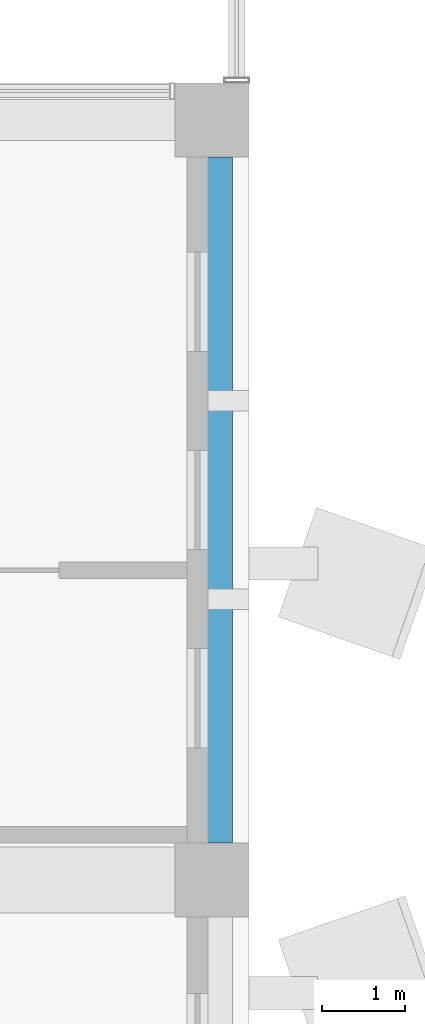
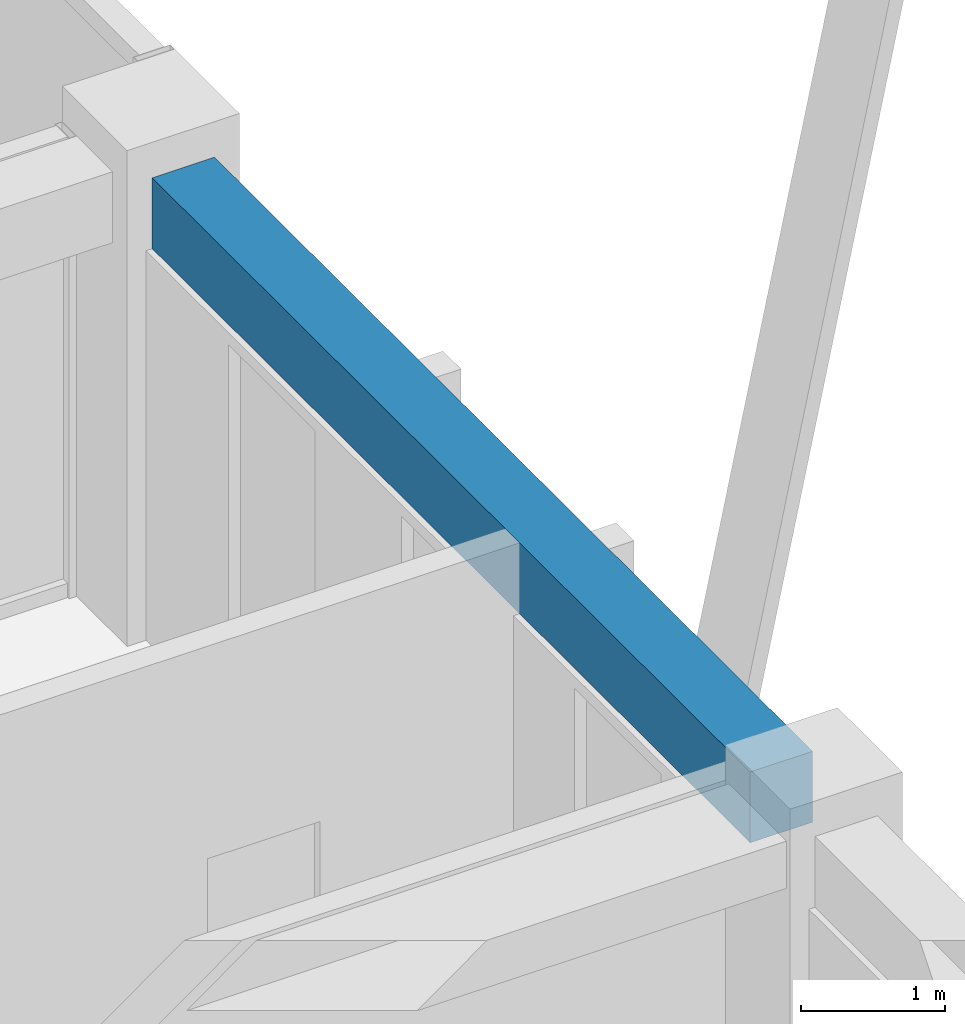
# One storey, part 15 of 38: 1 beam.
"""IFC4 building model written with IfcOpenShell, lengths in metres."""

import ifcopenshell
import ifcopenshell.guid

model = None  # the IFC model being written
_history = None  # IfcOwnerHistory: only IFC2X3 demands one
_inside = {}  # id of a spatial element -> (the spatial element, [elements in it])
_under = {}  # id of a project, library or spatial element -> (it, [spatial elements below it])
_declared = {}  # id of a project -> (the project, [libraries it declares])
_typed = {}  # id of a type object -> (the type object, [elements of that type])
_made_of = {}  # id of a material, layer set ... -> (it, [elements and type objects made of it])


def new_model(schema):
    """Start an empty IFC model of exactly this schema.

    Asked for "IFC4X3", IfcOpenShell would pick the latest addendum, in which some entities
    have other attributes; the version numbers below select the first issue.
    IFC2X3 requires an IfcOwnerHistory on every rooted entity: one is made here for all.
    """
    global model, _history
    if schema == "IFC4X3":
        model = ifcopenshell.file(schema_version=(4, 3, 0, 0))
    else:
        model = ifcopenshell.file(schema=schema)
    _inside.clear()
    _under.clear()
    _declared.clear()
    _typed.clear()
    _made_of.clear()
    _history = None
    if model.schema == "IFC2X3":
        org = make("IfcOrganization", Name="unknown")
        user = make(
            "IfcPersonAndOrganization",
            ThePerson=make("IfcPerson", FamilyName="unknown"),
            TheOrganization=org,
        )
        app = make(
            "IfcApplication",
            ApplicationDeveloper=org,
            Version="unknown",
            ApplicationFullName="unknown",
            ApplicationIdentifier="unknown",
        )
        _history = make(
            "IfcOwnerHistory",
            OwningUser=user,
            OwningApplication=app,
            ChangeAction="ADDED",
            CreationDate=0,
        )
    return model


def make(cls, **values):
    """One entity of the class cls with the attributes given. An attribute that is None is left unset."""
    return model.create_entity(
        cls, **{name: value for name, value in values.items() if value is not None}
    )


def rooted(cls, **values):
    """An entity with a GlobalId (a new one), such as an element, a storey or a relation."""
    return make(cls, GlobalId=ifcopenshell.guid.new(), OwnerHistory=_history, **values)


def si_unit(unit_type, name, prefix=None):
    """IfcSIUnit, for example si_unit("LENGTHUNIT", "METRE", prefix="MILLI")."""
    return make("IfcSIUnit", UnitType=unit_type, Prefix=prefix, Name=name)


def assignment(units):
    """IfcUnitAssignment: the units of a project."""
    return None if units is None else make("IfcUnitAssignment", Units=units)


def point(xyz):
    """IfcCartesianPoint."""
    return None if xyz is None else make("IfcCartesianPoint", Coordinates=xyz)


def direction(xyz):
    """IfcDirection."""
    return None if xyz is None else make("IfcDirection", DirectionRatios=xyz)


def frame(location, z_axis=None, x_axis=None):
    """IfcAxis2Placement3D, a coordinate frame: its origin and axes. An axis left out is left unset."""
    return make(
        "IfcAxis2Placement3D",
        Location=point(location),
        Axis=direction(z_axis),
        RefDirection=direction(x_axis),
    )


def frame_2d(location, x_axis=None):
    """IfcAxis2Placement2D, a coordinate frame in the plane: its origin and x axis."""
    return make(
        "IfcAxis2Placement2D", Location=point(location), RefDirection=direction(x_axis)
    )


def origin():
    """The frame at (0, 0, 0) with its axes left unset."""
    return frame((0.0, 0.0, 0.0))


def origin_2d():
    """The frame at (0, 0) in the plane with its x axis left unset."""
    return frame_2d((0.0, 0.0))


def place(relative_to, where):
    """IfcLocalPlacement: puts the frame where relative to a parent placement (None: the world)."""
    return make(
        "IfcLocalPlacement", PlacementRelTo=relative_to, RelativePlacement=where
    )


def context(
    kind, dimensions, precision=None, world=None, true_north=None, identifier=None
):
    """IfcGeometricRepresentationContext, for example the 3D "Model" context."""
    return make(
        "IfcGeometricRepresentationContext",
        ContextIdentifier=identifier,
        ContextType=kind,
        CoordinateSpaceDimension=dimensions,
        Precision=precision,
        WorldCoordinateSystem=world,
        TrueNorth=true_north,
    )


def subcontext(parent, identifier, kind, view, scale=None):
    """IfcGeometricRepresentationSubContext, for example "Body" below "Model"."""
    return make(
        "IfcGeometricRepresentationSubContext",
        ContextIdentifier=identifier,
        ContextType=kind,
        ParentContext=parent,
        TargetScale=scale,
        TargetView=view,
    )


def project(units=None, contexts=None):
    """IfcProject with its units and contexts."""
    return rooted(
        "IfcProject",
        Name="project",
        RepresentationContexts=contexts,
        UnitsInContext=assignment(units),
    )


def spatial(cls, under=None, at=None, **own):
    """A site, building, storey or space (cls), placed at a placement, below another one or the project."""
    s = rooted(cls, ObjectPlacement=at, **own)
    if under is not None:
        _under.setdefault(under.id(), (under, []))[1].append(s)
    return s


def profile(cls, at=None, kind="AREA", **sizes):
    """A parametric profile (cls). Its sizes go by their IFC names, for example OverallWidth=200.0."""
    return make(cls, ProfileType=kind, Position=at, **sizes)


def rectangle(**sizes):
    """IfcRectangleProfileDef."""
    return profile("IfcRectangleProfileDef", **sizes)


def extrude(swept, where, along, depth):
    """IfcExtrudedAreaSolid: the profile swept, set in the frame where, extruded along a direction by depth."""
    return make(
        "IfcExtrudedAreaSolid",
        SweptArea=swept,
        Position=where,
        ExtrudedDirection=direction(along),
        Depth=depth,
    )


def shape(context_of_items, identifier, shape_type, items):
    """IfcShapeRepresentation: the items that make up one representation, for example the "Body"."""
    return make(
        "IfcShapeRepresentation",
        ContextOfItems=context_of_items,
        RepresentationIdentifier=identifier,
        RepresentationType=shape_type,
        Items=items,
    )


def material(Name=None, Category=None):
    """IfcMaterial."""
    return make("IfcMaterial", Name=Name, Category=Category)


def material_profile(
    of_material, cross_section, Name=None, Category=None, Priority=None
):
    """IfcMaterialProfile: a cross section and its material."""
    return make(
        "IfcMaterialProfile",
        Name=Name,
        Material=of_material,
        Profile=cross_section,
        Priority=Priority,
        Category=Category,
    )


def profile_set(profiles, Name=None, composite=None):
    """IfcMaterialProfileSet."""
    return make(
        "IfcMaterialProfileSet",
        Name=Name,
        MaterialProfiles=profiles,
        CompositeProfile=composite,
    )


def made_of(thing, what):
    """Note that an element or type object is made of a material, layer set ...; save() writes the relation."""
    if what is not None:
        _made_of.setdefault(what.id(), (what, []))[1].append(thing)
    return thing


def type_object(cls, material=None, **own):
    """A type object (cls), such as IfcWallType, which elements share."""
    return made_of(rooted(cls, **own), material)


def element(
    cls,
    number,
    at=None,
    inside=None,
    cuts=None,
    type_object=None,
    material=None,
    context=None,
    identifier="Body",
    shape_type=None,
    held_by="IfcProductDefinitionShape",
    body=None,
    shapes=None,
    **own,
):
    """One element of the class cls, such as IfcWall. Its Tag is "e" and its number.

    at: its placement. inside: the storey or other place that contains it. cuts: it is an
    opening in that element (IfcRelVoidsElement). A single representation is given by context,
    identifier, shape_type and body (its items); several are given by shapes. held_by: the class
    of the entity that holds the representations. save() writes the other relations.
    """
    e = rooted(cls, Tag="e%d" % number, ObjectPlacement=at, **own)
    if body is not None:
        shapes = [shape(context, identifier, shape_type, body)]
    if shapes is not None:
        e.Representation = make(held_by, Representations=shapes)
    if inside is not None:
        _inside.setdefault(inside.id(), (inside, []))[1].append(e)
    if cuts is not None:
        rooted(
            "IfcRelVoidsElement", RelatingBuildingElement=cuts, RelatedOpeningElement=e
        )
    if type_object is not None:
        _typed.setdefault(type_object.id(), (type_object, []))[1].append(e)
    return made_of(e, material)


def aggregate(whole, parts):
    """IfcRelAggregates: a whole, such as a stair, and the parts it consists of."""
    return rooted("IfcRelAggregates", RelatingObject=whole, RelatedObjects=parts)


def save(model, path):
    """Write the relations noted so far, then the file.

    IfcRelAggregates (storeys below a building ...), IfcRelContainedInSpatialStructure (elements
    in a storey), IfcRelDefinesByType, IfcRelAssociatesMaterial and IfcRelDeclares: one each for
    every whole, place, type object, material and project.
    """
    for whole, parts in _under.values():
        aggregate(whole, parts)
    for where, things in _inside.values():
        rooted(
            "IfcRelContainedInSpatialStructure",
            RelatedElements=things,
            RelatingStructure=where,
        )
    for kind, things in _typed.values():
        rooted("IfcRelDefinesByType", RelatedObjects=things, RelatingType=kind)
    for what, things in _made_of.values():
        rooted("IfcRelAssociatesMaterial", RelatedObjects=things, RelatingMaterial=what)
    for by, libraries in _declared.values():
        rooted("IfcRelDeclares", RelatingContext=by, RelatedDefinitions=libraries)
    model.write(path)


model = new_model("IFC4")

# Units and contexts
model_context = context("Model", 3, precision=1e-05, world=origin(), true_north=direction((0.0, 1.0)))
body_context = subcontext(model_context, "Body", "Model", "MODEL_VIEW")
ifc_project = project(units=[si_unit("LENGTHUNIT", "METRE"), si_unit("AREAUNIT", "SQUARE_METRE"), si_unit("VOLUMEUNIT", "CUBIC_METRE"), si_unit("PLANEANGLEUNIT", "RADIAN"), si_unit("MASSUNIT", "GRAM", prefix="KILO")], contexts=[model_context])

# Site, building, storey
site_placement = place(None, origin())
site = spatial("IfcSite", under=ifc_project, at=site_placement, CompositionType="ELEMENT")
building_placement = place(site_placement, origin())
building = spatial("IfcBuilding", under=site, at=building_placement, Name="Nzadi Deep Aquarium and Research Tower", CompositionType="ELEMENT")
storey_placement = place(building_placement, frame((0.0, 0.0, 52.89990234375)))
storey = spatial("IfcBuildingStorey", under=building, at=storey_placement, Name="L10", CompositionType="ELEMENT", Elevation=52.89990234375)

# Beam
ifc_material = material(Name="Concrete C35/45", Category="concrete")
ifc_material_profile = material_profile(ifc_material, rectangle(XDim=0.5, YDim=0.60009765625, at=origin_2d()))
ifc_profile_set = profile_set([ifc_material_profile], Name="Concrete C35/45")
beam_type = type_object("IfcBeamType", Name="RC 500x600", PredefinedType="BEAM", material=ifc_profile_set)
beam_placement = place(storey_placement, frame((48.0, 9.64990234375, 3.60009765625), z_axis=(0.0, 1.0, 0.0), x_axis=(-1.0, 0.0, 0.0)))
element("IfcBeam", 1, at=beam_placement, inside=storey, type_object=beam_type, Name="B-Z1-L10-CF-2-1", PredefinedType="BEAM", context=body_context, shape_type="SweptSolid", body=[
    extrude(rectangle(XDim=0.5, YDim=0.60009765625, at=origin_2d()), origin(), (0.0, 0.0, 1.0), 8.300048828125),
])

save(model, "model.ifc")
